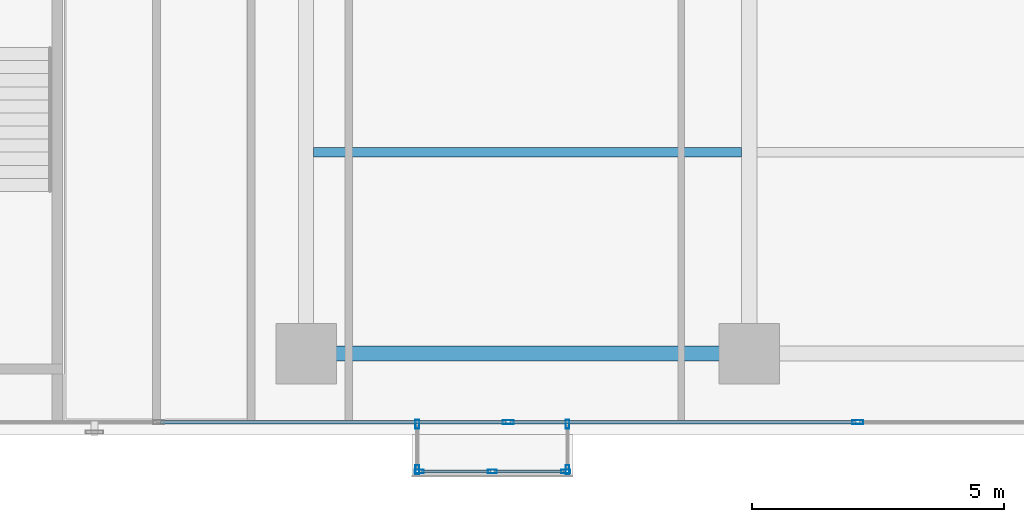
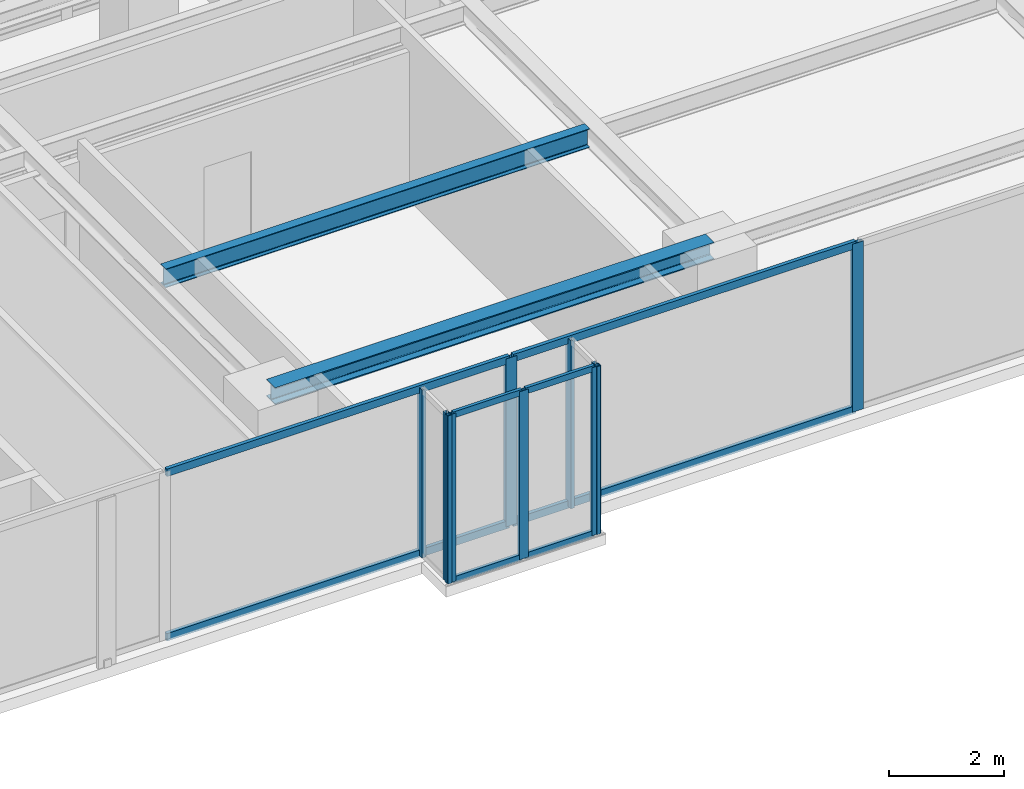
# One storey, part 10 of 26: 17 members, 2 beams, 4 elements without a shape of their own.
"""IFC4 building model written with IfcOpenShell, lengths in metres."""

from ifc_helpers import new_model, si_unit, direction, frame, origin, origin_with_axes, origin_2d, place, context, subcontext, project, spatial, hollow_rectangle, i_section, extrude, source, transform, mapped, material, layer, layer_set, material_profile, profile_set, type_object, element, aggregate, save


model = new_model("IFC4")

# Units and contexts
model_context = context("Model", 3, precision=1e-05, world=origin(), true_north=direction((0.0, 1.0)))
body_context = subcontext(model_context, "Body", "Model", "MODEL_VIEW")
ifc_project = project(units=[si_unit("LENGTHUNIT", "METRE"), si_unit("AREAUNIT", "SQUARE_METRE"), si_unit("VOLUMEUNIT", "CUBIC_METRE"), si_unit("PLANEANGLEUNIT", "RADIAN"), si_unit("MASSUNIT", "GRAM", prefix="KILO")], contexts=[model_context])

# Site, building, storey
site_placement = place(None, origin())
site = spatial("IfcSite", under=ifc_project, at=site_placement, CompositionType="ELEMENT")
building_placement = place(site_placement, origin())
building = spatial("IfcBuilding", under=site, at=building_placement, Name="Kolvaren Waterfront Exchange", CompositionType="ELEMENT")
storey_placement = place(building_placement, frame((0.0, 0.0, 165.199951171875)))
storey = spatial("IfcBuildingStorey", under=building, at=storey_placement, Name="L42", CompositionType="ELEMENT", Elevation=165.199951171875)

# Beams
ifc_material_1 = material(Name="Steel S355", Category="steel")
ifc_material_profile_1 = material_profile(ifc_material_1, i_section(OverallWidth=0.300048828125, OverallDepth=0.360107421875, WebThickness=0.012451171875, FlangeThickness=0.0224609375, FilletRadius=0.027099609375, at=origin_2d()), Name="HEB360")
ifc_profile_set_1 = profile_set([ifc_material_profile_1], Name="Steel S355")
beam_type_1 = type_object("IfcBeamType", Name="STR-BM-HEB360", PredefinedType="SPANDREL", material=ifc_profile_set_1)
beam_1_placement = place(storey_placement, frame((36.800048828125, 5.199951171875, 3.380126953125), z_axis=(1.0, 0.0, 0.0), x_axis=(0.0, 1.0, 0.0)))
element("IfcBeam", 1, at=beam_1_placement, inside=storey, type_object=beam_type_1, Name="L42 east-arm spandrel S3", PredefinedType="SPANDREL", context=body_context, shape_type="SweptSolid", body=[
    extrude(i_section(OverallWidth=0.300048828125, OverallDepth=0.360107421875, WebThickness=0.012451171875, FlangeThickness=0.0224609375, FilletRadius=0.027099609375, at=origin_2d()), origin(), (0.0, 0.0, 1.0), 8.800048828125),
])
ifc_material_profile_2 = material_profile(ifc_material_1, i_section(OverallWidth=0.179931640625, OverallDepth=0.39990234375, WebThickness=0.008544921875, FlangeThickness=0.013427734375, FilletRadius=0.02099609375, at=origin_2d()), Name="IPE400")
ifc_profile_set_2 = profile_set([ifc_material_profile_2], Name="Steel S355")
beam_type_2 = type_object("IfcBeamType", Name="STR-BM-IPE400", PredefinedType="JOIST", material=ifc_profile_set_2)
beam_2_placement = place(storey_placement, frame((36.951904296875, 9.199951171875, 3.360107421875), z_axis=(1.0, 0.0, 0.0), x_axis=(0.0, 1.0, 0.0)))
element("IfcBeam", 2, at=beam_2_placement, inside=storey, type_object=beam_type_2, Name="L42 east-arm composite joist 3B", PredefinedType="JOIST", context=body_context, shape_type="SweptSolid", body=[
    extrude(i_section(OverallWidth=0.179931640625, OverallDepth=0.39990234375, WebThickness=0.008544921875, FlangeThickness=0.013427734375, FilletRadius=0.02099609375, at=origin_2d()), origin(), (0.0, 0.0, 1.0), 8.49609375),
])

# Curtain wall, members
ifc_material_2 = material(Name="Anodised bronze aluminium 6063-T6", Category="aluminium")
ifc_layer_1 = layer(ifc_material_2, 0.219970703125, Name="Anodised bronze aluminium 6063-T6")
ifc_layer_set_1 = layer_set([ifc_layer_1], Name="Anodised bronze aluminium 6063-T6")
curtain_wall_type_1 = type_object("IfcCurtainWallType", Name="ARC-CW-SYS3", PredefinedType="USERDEFINED", material=ifc_layer_set_1)
curtain_wall_1_placement = place(storey_placement, origin())
curtain_wall_1 = element("IfcCurtainWall", 3, at=curtain_wall_1_placement, inside=storey, type_object=curtain_wall_type_1, Name="L42 stick curtain wall CW3 (CW-L42-BOX)", ObjectType="STICK CURTAIN WALL", PredefinedType="USERDEFINED")
ifc_material_profile_3 = material_profile(ifc_material_2, hollow_rectangle(XDim=0.06494140625, YDim=0.1298828125, WallThickness=0.00390625, at=origin_2d()), Name="ALU-TRN-130x65x4")
ifc_profile_set_3 = profile_set([ifc_material_profile_3], Name="Anodised bronze aluminium 6063-T6")
member_type_1 = type_object("IfcMemberType", Name="ARC-CWT-130", PredefinedType="USERDEFINED", material=ifc_profile_set_3)
shared_shape_1 = source(origin_with_axes(), body_context, "Body", "SweptSolid", [
    extrude(hollow_rectangle(XDim=0.06494140625, YDim=0.1298828125, WallThickness=0.00390625, at=origin_2d()), origin(), (0.0, 0.0, 1.0), 1.37744140625),
])
member_1_placement = place(storey_placement, frame((39.0849609375, 2.860107421875, 0.032470703125), z_axis=(1.0, 0.0, 0.0), x_axis=(0.0, 1.0, 0.0)))
member_1 = element("IfcMember", 4, at=member_1_placement, type_object=member_type_1, Name="CW3 transom 1.1", ObjectType="TRANSOM", PredefinedType="USERDEFINED", context=body_context, shape_type="MappedRepresentation", body=[
    mapped(shared_shape_1, transform((0.0, 0.0, 0.0), x_axis=(1.0, 0.0, 0.0), y_axis=(0.0, 1.0, 0.0), z_axis=(0.0, 0.0, 1.0), scale=1.0)),
])
member_2_placement = place(storey_placement, frame((39.0849609375, 2.860107421875, 3.527587890625), z_axis=(1.0, 0.0, 0.0), x_axis=(0.0, 1.0, 0.0)))
member_2 = element("IfcMember", 5, at=member_2_placement, type_object=member_type_1, Name="CW3 transom 1.2", ObjectType="TRANSOM", PredefinedType="USERDEFINED", context=body_context, shape_type="MappedRepresentation", body=[
    mapped(shared_shape_1, transform((0.0, 0.0, 0.0), x_axis=(1.0, 0.0, 0.0), y_axis=(0.0, 1.0, 0.0), z_axis=(0.0, 0.0, 1.0), scale=1.0)),
])
member_3_placement = place(storey_placement, frame((40.53759765625, 2.860107421875, 0.032470703125), z_axis=(1.0, 0.0, 0.0), x_axis=(0.0, 1.0, 0.0)))
member_3 = element("IfcMember", 6, at=member_3_placement, type_object=member_type_1, Name="CW3 transom 2.1", ObjectType="TRANSOM", PredefinedType="USERDEFINED", context=body_context, shape_type="MappedRepresentation", body=[
    mapped(shared_shape_1, transform((0.0, 0.0, 0.0), x_axis=(1.0, 0.0, 0.0), y_axis=(0.0, 1.0, 0.0), z_axis=(0.0, 0.0, 1.0), scale=1.0)),
])
member_4_placement = place(storey_placement, frame((40.53759765625, 2.860107421875, 3.527587890625), z_axis=(1.0, 0.0, 0.0), x_axis=(0.0, 1.0, 0.0)))
member_4 = element("IfcMember", 7, at=member_4_placement, type_object=member_type_1, Name="CW3 transom 2.2", ObjectType="TRANSOM", PredefinedType="USERDEFINED", context=body_context, shape_type="MappedRepresentation", body=[
    mapped(shared_shape_1, transform((0.0, 0.0, 0.0), x_axis=(1.0, 0.0, 0.0), y_axis=(0.0, 1.0, 0.0), z_axis=(0.0, 0.0, 1.0), scale=1.0)),
])

curtain_wall_2_placement = place(storey_placement, origin())
curtain_wall_2 = element("IfcCurtainWall", 8, at=curtain_wall_2_placement, inside=storey, type_object=curtain_wall_type_1, Name="L42 stick curtain wall CW3 (CW-L42-BOX-W)", ObjectType="STICK CURTAIN WALL", PredefinedType="USERDEFINED")
ifc_material_profile_4 = material_profile(ifc_material_2, hollow_rectangle(XDim=0.074951171875, YDim=0.179931640625, WallThickness=0.00439453125, at=origin_2d()), Name="ALU-MUL-180x75x4.5")
ifc_profile_set_4 = profile_set([ifc_material_profile_4], Name="Anodised bronze aluminium 6063-T6")
member_type_2 = type_object("IfcMemberType", Name="ARC-CWM-180", PredefinedType="MULLION", material=ifc_profile_set_4)
shared_shape_2 = source(origin_with_axes(), body_context, "Body", "SweptSolid", [
    extrude(hollow_rectangle(XDim=0.074951171875, YDim=0.179931640625, WallThickness=0.00439453125, at=origin_2d()), origin(), (0.0, 0.0, 1.0), 3.56005859375),
])
member_5_placement = place(storey_placement, frame((39.010009765625, 3.802490234375, 0.0), z_axis=(0.0, 0.0, 1.0), x_axis=(1.0, 0.0, 0.0)))
member_5 = element("IfcMember", 9, at=member_5_placement, type_object=member_type_2, Name="CW3 mullion 1", PredefinedType="MULLION", context=body_context, shape_type="MappedRepresentation", body=[
    mapped(shared_shape_2, transform((0.0, 0.0, 0.0), x_axis=(1.0, 0.0, 0.0), y_axis=(0.0, 1.0, 0.0), z_axis=(0.0, 0.0, 1.0), scale=1.0)),
])
member_6_placement = place(storey_placement, frame((39.010009765625, 2.8974609375, 0.0), z_axis=(0.0, 0.0, 1.0), x_axis=(1.0, 0.0, 0.0)))
member_6 = element("IfcMember", 10, at=member_6_placement, type_object=member_type_2, Name="CW3 mullion 2", PredefinedType="MULLION", context=body_context, shape_type="MappedRepresentation", body=[
    mapped(shared_shape_2, transform((0.0, 0.0, 0.0), x_axis=(1.0, 0.0, 0.0), y_axis=(0.0, 1.0, 0.0), z_axis=(0.0, 0.0, 1.0), scale=1.0)),
])
aggregate(curtain_wall_2, [member_5, member_6])

# Member
member_7_placement = place(storey_placement, frame((39.047607421875, 2.860107421875, 0.0), z_axis=(0.0, 0.0, 1.0), x_axis=(0.0, 1.0, 0.0)))
member_7 = element("IfcMember", 11, at=member_7_placement, type_object=member_type_2, Name="CW3 mullion 1", PredefinedType="MULLION", context=body_context, shape_type="MappedRepresentation", body=[
    mapped(shared_shape_2, transform((0.0, 0.0, 0.0), x_axis=(1.0, 0.0, 0.0), y_axis=(0.0, 1.0, 0.0), z_axis=(0.0, 0.0, 1.0), scale=1.0)),
])

member_8_placement = place(storey_placement, frame((40.5, 2.860107421875, 0.0), z_axis=(0.0, 0.0, 1.0), x_axis=(0.0, 1.0, 0.0)))
member_8 = element("IfcMember", 12, at=member_8_placement, type_object=member_type_2, Name="CW3 mullion 2", PredefinedType="MULLION", context=body_context, shape_type="MappedRepresentation", body=[
    mapped(shared_shape_2, transform((0.0, 0.0, 0.0), x_axis=(1.0, 0.0, 0.0), y_axis=(0.0, 1.0, 0.0), z_axis=(0.0, 0.0, 1.0), scale=1.0)),
])

member_9_placement = place(storey_placement, frame((41.952392578125, 2.860107421875, 0.0), z_axis=(0.0, 0.0, 1.0), x_axis=(0.0, 1.0, 0.0)))
member_9 = element("IfcMember", 13, at=member_9_placement, type_object=member_type_2, Name="CW3 mullion 3", PredefinedType="MULLION", context=body_context, shape_type="MappedRepresentation", body=[
    mapped(shared_shape_2, transform((0.0, 0.0, 0.0), x_axis=(1.0, 0.0, 0.0), y_axis=(0.0, 1.0, 0.0), z_axis=(0.0, 0.0, 1.0), scale=1.0)),
])

aggregate(curtain_wall_1, [member_7, member_8, member_9, member_1, member_2, member_3, member_4])

# Curtain wall, members
curtain_wall_3_placement = place(storey_placement, origin())
curtain_wall_3 = element("IfcCurtainWall", 14, at=curtain_wall_3_placement, inside=storey, type_object=curtain_wall_type_1, Name="L42 stick curtain wall CW3 (CW-L42-BOX-E)", ObjectType="STICK CURTAIN WALL", PredefinedType="USERDEFINED")
member_10_placement = place(storey_placement, frame((41.989990234375, 2.8974609375, 0.0), z_axis=(0.0, 0.0, 1.0), x_axis=(-1.0, 0.0, 0.0)))
member_10 = element("IfcMember", 15, at=member_10_placement, type_object=member_type_2, Name="CW3 mullion 1", PredefinedType="MULLION", context=body_context, shape_type="MappedRepresentation", body=[
    mapped(shared_shape_2, transform((0.0, 0.0, 0.0), x_axis=(1.0, 0.0, 0.0), y_axis=(0.0, 1.0, 0.0), z_axis=(0.0, 0.0, 1.0), scale=1.0)),
])
member_11_placement = place(storey_placement, frame((41.989990234375, 3.802490234375, 0.0), z_axis=(0.0, 0.0, 1.0), x_axis=(-1.0, 0.0, 0.0)))
member_11 = element("IfcMember", 16, at=member_11_placement, type_object=member_type_2, Name="CW3 mullion 2", PredefinedType="MULLION", context=body_context, shape_type="MappedRepresentation", body=[
    mapped(shared_shape_2, transform((0.0, 0.0, 0.0), x_axis=(1.0, 0.0, 0.0), y_axis=(0.0, 1.0, 0.0), z_axis=(0.0, 0.0, 1.0), scale=1.0)),
])
aggregate(curtain_wall_3, [member_10, member_11])

ifc_layer_2 = layer(ifc_material_2, 0.219970703125, Name="Anodised bronze aluminium 6063-T6")
ifc_layer_set_2 = layer_set([ifc_layer_2], Name="Anodised bronze aluminium 6063-T6")
curtain_wall_type_2 = type_object("IfcCurtainWallType", Name="ARC-CW-SYS1", PredefinedType="USERDEFINED", material=ifc_layer_set_2)
curtain_wall_4_placement = place(storey_placement, origin())
curtain_wall_4 = element("IfcCurtainWall", 17, at=curtain_wall_4_placement, inside=storey, type_object=curtain_wall_type_2, Name="L42 stick curtain wall CW1 (CW-L42-S)", ObjectType="STICK CURTAIN WALL", PredefinedType="USERDEFINED")
ifc_material_3 = material(Name="Anodised aluminium 6063-T6", Category="aluminium")
ifc_material_profile_5 = material_profile(ifc_material_3, hollow_rectangle(XDim=0.080078125, YDim=0.219970703125, WallThickness=0.0048828125, at=origin_2d()), Name="ALU-MUL-220x80x5")
ifc_profile_set_5 = profile_set([ifc_material_profile_5], Name="Anodised aluminium 6063-T6")
member_type_3 = type_object("IfcMemberType", Name="ARC-CWM-220", PredefinedType="MULLION", material=ifc_profile_set_5)
shared_shape_3 = source(origin_with_axes(), body_context, "Body", "SweptSolid", [
    extrude(hollow_rectangle(XDim=0.080078125, YDim=0.219970703125, WallThickness=0.0048828125, at=origin_2d()), origin(), (0.0, 0.0, 1.0), 3.56005859375),
])
member_12_placement = place(storey_placement, frame((40.814208984375, 3.840087890625, 0.0), z_axis=(0.0, 0.0, 1.0), x_axis=(0.0, 1.0, 0.0)))
member_12 = element("IfcMember", 18, at=member_12_placement, type_object=member_type_3, Name="CW1 mullion 6", PredefinedType="MULLION", context=body_context, shape_type="MappedRepresentation", body=[
    mapped(shared_shape_3, transform((0.0, 0.0, 0.0), x_axis=(1.0, 0.0, 0.0), y_axis=(0.0, 1.0, 0.0), z_axis=(0.0, 0.0, 1.0), scale=1.0)),
])
member_13_placement = place(storey_placement, frame((47.757080078125, 3.840087890625, 0.0), z_axis=(0.0, 0.0, 1.0), x_axis=(0.0, 1.0, 0.0)))
member_13 = element("IfcMember", 19, at=member_13_placement, type_object=member_type_3, Name="CW1 mullion 7", PredefinedType="MULLION", context=body_context, shape_type="MappedRepresentation", body=[
    mapped(shared_shape_3, transform((0.0, 0.0, 0.0), x_axis=(1.0, 0.0, 0.0), y_axis=(0.0, 1.0, 0.0), z_axis=(0.0, 0.0, 1.0), scale=1.0)),
])
ifc_material_profile_6 = material_profile(ifc_material_3, hollow_rectangle(XDim=0.074951171875, YDim=0.159912109375, WallThickness=0.00439453125, at=origin_2d()), Name="ALU-TRN-160x75x4.5")
ifc_profile_set_6 = profile_set([ifc_material_profile_6], Name="Anodised aluminium 6063-T6")
member_type_4 = type_object("IfcMemberType", Name="ARC-CWT-160", PredefinedType="USERDEFINED", material=ifc_profile_set_6)
shared_shape_4 = source(origin_with_axes(), body_context, "Body", "SweptSolid", [
    extrude(hollow_rectangle(XDim=0.074951171875, YDim=0.159912109375, WallThickness=0.00439453125, at=origin_2d()), origin(), (0.0, 0.0, 1.0), 6.86279296875),
])
member_14_placement = place(storey_placement, frame((33.911376953125, 3.840087890625, 0.03759765625), z_axis=(1.0, 0.0, 0.0), x_axis=(0.0, 1.0, 0.0)))
member_14 = element("IfcMember", 20, at=member_14_placement, type_object=member_type_4, Name="CW1 transom 5.1", ObjectType="TRANSOM", PredefinedType="USERDEFINED", context=body_context, shape_type="MappedRepresentation", body=[
    mapped(shared_shape_4, transform((0.0, 0.0, 0.0), x_axis=(1.0, 0.0, 0.0), y_axis=(0.0, 1.0, 0.0), z_axis=(0.0, 0.0, 1.0), scale=1.0)),
])
member_15_placement = place(storey_placement, frame((33.911376953125, 3.840087890625, 3.5224609375), z_axis=(1.0, 0.0, 0.0), x_axis=(0.0, 1.0, 0.0)))
member_15 = element("IfcMember", 21, at=member_15_placement, type_object=member_type_4, Name="CW1 transom 5.2", ObjectType="TRANSOM", PredefinedType="USERDEFINED", context=body_context, shape_type="MappedRepresentation", body=[
    mapped(shared_shape_4, transform((0.0, 0.0, 0.0), x_axis=(1.0, 0.0, 0.0), y_axis=(0.0, 1.0, 0.0), z_axis=(0.0, 0.0, 1.0), scale=1.0)),
])
member_16_placement = place(storey_placement, frame((40.854248046875, 3.840087890625, 0.03759765625), z_axis=(1.0, 0.0, 0.0), x_axis=(0.0, 1.0, 0.0)))
member_16 = element("IfcMember", 22, at=member_16_placement, type_object=member_type_4, Name="CW1 transom 6.1", ObjectType="TRANSOM", PredefinedType="USERDEFINED", context=body_context, shape_type="MappedRepresentation", body=[
    mapped(shared_shape_4, transform((0.0, 0.0, 0.0), x_axis=(1.0, 0.0, 0.0), y_axis=(0.0, 1.0, 0.0), z_axis=(0.0, 0.0, 1.0), scale=1.0)),
])
member_17_placement = place(storey_placement, frame((40.854248046875, 3.840087890625, 3.5224609375), z_axis=(1.0, 0.0, 0.0), x_axis=(0.0, 1.0, 0.0)))
member_17 = element("IfcMember", 23, at=member_17_placement, type_object=member_type_4, Name="CW1 transom 6.2", ObjectType="TRANSOM", PredefinedType="USERDEFINED", context=body_context, shape_type="MappedRepresentation", body=[
    mapped(shared_shape_4, transform((0.0, 0.0, 0.0), x_axis=(1.0, 0.0, 0.0), y_axis=(0.0, 1.0, 0.0), z_axis=(0.0, 0.0, 1.0), scale=1.0)),
])
aggregate(curtain_wall_4, [member_12, member_13, member_14, member_15, member_16, member_17])

save(model, "model.ifc")
